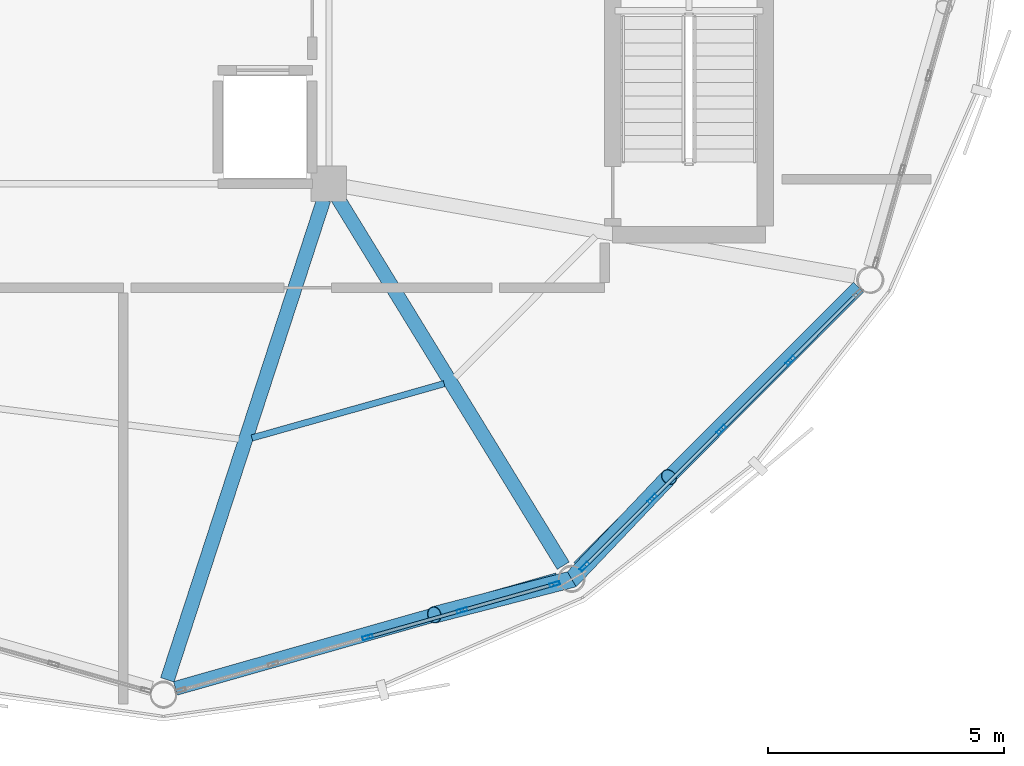
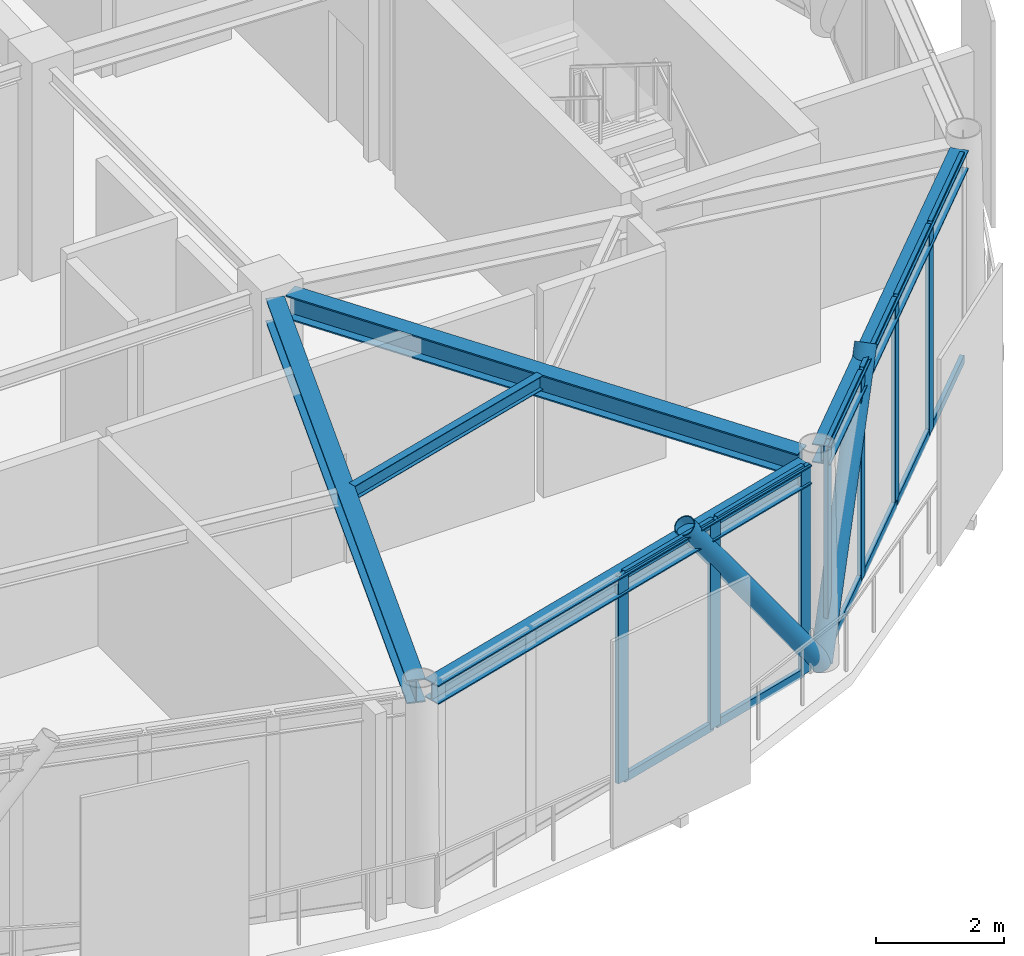
# One storey, part 5 of 20: 21 members, 5 beams, 2 elements without a shape of their own.
"""IFC4 building model written with IfcOpenShell, lengths in metres."""

from ifc_helpers import new_model, si_unit, direction, frame, origin, origin_2d, place, context, subcontext, project, spatial, hollow_rectangle, hollow_circle, i_section, extrude, material, layer, layer_set, material_profile, profile_set, type_object, element, aggregate, save


model = new_model("IFC4")

# Units and contexts
model_context = context("Model", 3, precision=1e-05, world=origin(), true_north=direction((0.0, 1.0)))
body_context = subcontext(model_context, "Body", "Model", "MODEL_VIEW")
ifc_project = project(units=[si_unit("LENGTHUNIT", "METRE"), si_unit("AREAUNIT", "SQUARE_METRE"), si_unit("VOLUMEUNIT", "CUBIC_METRE"), si_unit("PLANEANGLEUNIT", "RADIAN"), si_unit("MASSUNIT", "GRAM", prefix="KILO")], contexts=[model_context])

# Site, building, storey
site_placement = place(None, origin())
site = spatial("IfcSite", under=ifc_project, at=site_placement, CompositionType="ELEMENT")
building_placement = place(site_placement, origin())
building = spatial("IfcBuilding", under=site, at=building_placement, Name="Varnakorn Sky Granary", CompositionType="ELEMENT")
storey_placement = place(building_placement, frame((0.0, 0.0, 306.60009765625)))
storey = spatial("IfcBuildingStorey", under=building, at=storey_placement, Name="L78", CompositionType="ELEMENT", Elevation=306.60009765625)

# Beams
ifc_material_1 = material(Name="Steel S355JR", Category="steel")
ifc_material_profile_1 = material_profile(ifc_material_1, i_section(OverallWidth=0.300048828125, OverallDepth=0.449951171875, WebThickness=0.013916015625, FlangeThickness=0.02587890625, at=origin_2d()), Name="HE 450 B")
ifc_profile_set_1 = profile_set([ifc_material_profile_1], Name="Steel S355JR")
beam_type_1 = type_object("IfcBeamType", Name="BM-RAD-Z5", PredefinedType="BEAM", material=ifc_profile_set_1)
beam_1_placement = place(storey_placement, frame((8.239990234375, -6.9375, 3.73486328125), z_axis=(-0.309766783642, -0.95081256815, 0.0), x_axis=(0.95081256815, -0.309766783642, 0.0)))
element("IfcBeam", 1, at=beam_1_placement, inside=storey, type_object=beam_type_1, Name="Radial Floor Girder RG10 L78", PredefinedType="BEAM", context=body_context, shape_type="SweptSolid", body=[
    extrude(i_section(OverallWidth=0.300048828125, OverallDepth=0.449951171875, WebThickness=0.013916015625, FlangeThickness=0.02587890625, at=origin_2d()), origin(), (0.0, 0.0, 1.0), 10.679443359375),
])
beam_2_placement = place(storey_placement, frame((8.53564453125, -6.902587890625, 3.73486328125), z_axis=(0.522887164718, -0.852401908124, 0.0), x_axis=(0.852401908124, 0.522887164718, 0.0)))
element("IfcBeam", 2, at=beam_2_placement, inside=storey, type_object=beam_type_1, Name="Radial Floor Girder RG11 L78", PredefinedType="BEAM", context=body_context, shape_type="SweptSolid", body=[
    extrude(i_section(OverallWidth=0.300048828125, OverallDepth=0.449951171875, WebThickness=0.013916015625, FlangeThickness=0.02587890625, at=origin_2d()), origin(), (0.0, 0.0, 1.0), 9.12060546875),
])
ifc_material_profile_2 = material_profile(ifc_material_1, i_section(OverallWidth=0.135009765625, OverallDepth=0.27001953125, WebThickness=0.006591796875, FlangeThickness=0.01025390625, at=origin_2d()), Name="IPE 270")
ifc_profile_set_2 = profile_set([ifc_material_profile_2], Name="Steel S355JR")
beam_type_2 = type_object("IfcBeamType", Name="BM-SEC-Z5", PredefinedType="BEAM", material=ifc_profile_set_2)
beam_3_placement = place(storey_placement, frame((6.720703125, -11.976318359375, 3.824951171875), z_axis=(0.96232682993, 0.271895333533, 0.0), x_axis=(-0.271895333533, 0.96232682993, 0.0)))
element("IfcBeam", 3, at=beam_3_placement, inside=storey, type_object=beam_type_2, Name="Secondary Floor Chord Beam MSB10 L78", PredefinedType="BEAM", context=body_context, shape_type="SweptSolid", body=[
    extrude(i_section(OverallWidth=0.135009765625, OverallDepth=0.27001953125, WebThickness=0.006591796875, FlangeThickness=0.01025390625, at=origin_2d()), origin(), (0.0, 0.0, 1.0), 4.223876953125),
])
ifc_material_profile_3 = material_profile(ifc_material_1, i_section(OverallWidth=0.300048828125, OverallDepth=0.360107421875, WebThickness=0.012451171875, FlangeThickness=0.0224609375, at=origin_2d()), Name="HE 360 B")
ifc_profile_set_3 = profile_set([ifc_material_profile_3], Name="Steel S355JR")
beam_type_3 = type_object("IfcBeamType", Name="BM-SPD-Z5", PredefinedType="SPANDREL", material=ifc_profile_set_3)
beam_4_placement = place(storey_placement, frame((5.1044921875, -17.270751953125, 3.77978515625), z_axis=(0.961959045072, 0.273193696127, 0.0), x_axis=(-0.273193696127, 0.961959045072, 0.0)))
element("IfcBeam", 4, at=beam_4_placement, inside=storey, type_object=beam_type_3, Name="Perimeter Spandrel Ring Beam RB10 L78", PredefinedType="SPANDREL", context=body_context, shape_type="SweptSolid", body=[
    extrude(i_section(OverallWidth=0.300048828125, OverallDepth=0.360107421875, WebThickness=0.012451171875, FlangeThickness=0.0224609375, at=origin_2d()), origin(), (0.0, 0.0, 1.0), 8.40380859375),
])
beam_5_placement = place(storey_placement, frame((13.6298828125, -14.71533203125, 3.77978515625), z_axis=(0.706669260359, 0.707544031467, 0.0), x_axis=(-0.707544031467, 0.706669260359, 0.0)))
element("IfcBeam", 5, at=beam_5_placement, inside=storey, type_object=beam_type_3, Name="Perimeter Spandrel Ring Beam RB11 L78", PredefinedType="SPANDREL", context=body_context, shape_type="SweptSolid", body=[
    extrude(i_section(OverallWidth=0.300048828125, OverallDepth=0.360107421875, WebThickness=0.012451171875, FlangeThickness=0.0224609375, at=origin_2d()), origin(), (0.0, 0.0, 1.0), 8.372802734375),
])

# Curtain wall, members
ifc_material_2 = material(Name="Anodised Bronze Aluminium Alloy 6063-T6", Category="aluminium")
ifc_layer = layer(ifc_material_2, 0.22998046875, Name="Anodised Bronze Aluminium Alloy 6063-T6")
ifc_layer_set = layer_set([ifc_layer], Name="Anodised Bronze Aluminium Alloy 6063-T6")
curtain_wall_type = type_object("IfcCurtainWallType", Name="CW-LNT-1", PredefinedType="USERDEFINED", material=ifc_layer_set)
curtain_wall_1_placement = place(storey_placement, origin())
curtain_wall_1 = element("IfcCurtainWall", 6, at=curtain_wall_1_placement, inside=storey, type_object=curtain_wall_type, Name="Unitised Curtain Wall CW7 CW-L78-B10", ObjectType="CURTAIN WALL", PredefinedType="USERDEFINED")
ifc_material_profile_4 = material_profile(ifc_material_2, hollow_rectangle(XDim=0.074951171875, YDim=0.219970703125, WallThickness=0.00390625, at=origin_2d()), Name="ALU MULL 75x220")
ifc_profile_set_4 = profile_set([ifc_material_profile_4], Name="Anodised Bronze Aluminium Alloy 6063-T6")
member_type_1 = type_object("IfcMemberType", Name="CW-LNT-1-MULL", PredefinedType="MULLION", material=ifc_profile_set_4)
member_1_placement = place(storey_placement, frame((13.123291015625, -15.067138671875, 0.0), z_axis=(0.0, 0.0, 1.0), x_axis=(0.272904510897, -0.962041125905, 0.0)))
member_1 = element("IfcMember", 7, at=member_1_placement, type_object=member_type_1, Name="CW7 mullion 1", PredefinedType="MULLION", context=body_context, shape_type="SweptSolid", body=[
    extrude(hollow_rectangle(XDim=0.074951171875, YDim=0.219970703125, WallThickness=0.00390625, at=origin_2d()), origin(), (0.0, 0.0, 1.0), 3.9599609375),
])
member_2_placement = place(storey_placement, frame((11.163818359375, -15.623046875, 0.0), z_axis=(0.0, 0.0, 1.0), x_axis=(0.272904510897, -0.962041125905, 0.0)))
member_2 = element("IfcMember", 8, at=member_2_placement, type_object=member_type_1, Name="CW7 mullion 2", PredefinedType="MULLION", context=body_context, shape_type="SweptSolid", body=[
    extrude(hollow_rectangle(XDim=0.074951171875, YDim=0.219970703125, WallThickness=0.00390625, at=origin_2d()), origin(), (0.0, 0.0, 1.0), 3.9599609375),
])
member_3_placement = place(storey_placement, frame((9.16796875, -16.18896484375, 0.0), z_axis=(0.0, 0.0, 1.0), x_axis=(0.272904510897, -0.962041125905, 0.0)))
member_3 = element("IfcMember", 9, at=member_3_placement, type_object=member_type_1, Name="CW7 mullion 3", PredefinedType="MULLION", context=body_context, shape_type="SweptSolid", body=[
    extrude(hollow_rectangle(XDim=0.074951171875, YDim=0.219970703125, WallThickness=0.00390625, at=origin_2d()), origin(), (0.0, 0.0, 1.0), 3.9599609375),
])

curtain_wall_2_placement = place(storey_placement, origin())
curtain_wall_2 = element("IfcCurtainWall", 10, at=curtain_wall_2_placement, inside=storey, type_object=curtain_wall_type, Name="Unitised Curtain Wall CW7 CW-L78-B11", ObjectType="CURTAIN WALL", PredefinedType="USERDEFINED")
member_4_placement = place(storey_placement, frame((18.107421875, -10.3408203125, 0.0), z_axis=(0.0, 0.0, 1.0), x_axis=(0.707251982619, -0.706961549932, 0.0)))
member_4 = element("IfcMember", 11, at=member_4_placement, type_object=member_type_1, Name="CW7 mullion 2", PredefinedType="MULLION", context=body_context, shape_type="SweptSolid", body=[
    extrude(hollow_rectangle(XDim=0.074951171875, YDim=0.219970703125, WallThickness=0.00390625, at=origin_2d()), origin(), (0.0, 0.0, 1.0), 3.9599609375),
])
member_5_placement = place(storey_placement, frame((16.64697265625, -11.8017578125, 0.0), z_axis=(0.0, 0.0, 1.0), x_axis=(0.707251982619, -0.706961549932, 0.0)))
member_5 = element("IfcMember", 12, at=member_5_placement, type_object=member_type_1, Name="CW7 mullion 3", PredefinedType="MULLION", context=body_context, shape_type="SweptSolid", body=[
    extrude(hollow_rectangle(XDim=0.074951171875, YDim=0.219970703125, WallThickness=0.00390625, at=origin_2d()), origin(), (0.0, 0.0, 1.0), 3.9599609375),
])
member_6_placement = place(storey_placement, frame((15.1865234375, -13.262939453125, 0.0), z_axis=(0.0, 0.0, 1.0), x_axis=(0.707251982619, -0.706961549932, 0.0)))
member_6 = element("IfcMember", 13, at=member_6_placement, type_object=member_type_1, Name="CW7 mullion 4", PredefinedType="MULLION", context=body_context, shape_type="SweptSolid", body=[
    extrude(hollow_rectangle(XDim=0.074951171875, YDim=0.219970703125, WallThickness=0.00390625, at=origin_2d()), origin(), (0.0, 0.0, 1.0), 3.9599609375),
])
member_7_placement = place(storey_placement, frame((13.75244140625, -14.697509765625, 0.0), z_axis=(0.0, 0.0, 1.0), x_axis=(0.707251982619, -0.706961549932, 0.0)))
member_7 = element("IfcMember", 14, at=member_7_placement, type_object=member_type_1, Name="CW7 mullion 5", PredefinedType="MULLION", context=body_context, shape_type="SweptSolid", body=[
    extrude(hollow_rectangle(XDim=0.074951171875, YDim=0.219970703125, WallThickness=0.00390625, at=origin_2d()), origin(), (0.0, 0.0, 1.0), 3.9599609375),
])

# Member
ifc_material_profile_5 = material_profile(ifc_material_2, hollow_rectangle(XDim=0.074951171875, YDim=0.159912109375, WallThickness=0.00390625, at=origin_2d()), Name="ALU TRAN 75x160")
ifc_profile_set_5 = profile_set([ifc_material_profile_5], Name="Anodised Bronze Aluminium Alloy 6063-T6")
member_type_2 = type_object("IfcMemberType", Name="CW-LNT-1-TRAN", PredefinedType="USERDEFINED", material=ifc_profile_set_5)
member_8_placement = place(storey_placement, frame((13.087158203125, -15.0771484375, 0.037353515625), z_axis=(-0.962010779064, -0.273011466727, 0.0), x_axis=(0.273011466727, -0.962010779064, 0.0)))
member_8 = element("IfcMember", 15, at=member_8_placement, type_object=member_type_2, Name="CW7 transom 1.1", ObjectType="TRANSOM", PredefinedType="USERDEFINED", context=body_context, shape_type="SweptSolid", body=[
    extrude(hollow_rectangle(XDim=0.074951171875, YDim=0.159912109375, WallThickness=0.00390625, at=origin_2d()), origin(), (0.0, 0.0, 1.0), 1.9619140625),
])

member_9_placement = place(storey_placement, frame((13.087158203125, -15.0771484375, 3.92236328125), z_axis=(-0.962010779064, -0.273011466727, 0.0), x_axis=(0.273011466727, -0.962010779064, 0.0)))
member_9 = element("IfcMember", 16, at=member_9_placement, type_object=member_type_2, Name="CW7 transom 1.2", ObjectType="TRANSOM", PredefinedType="USERDEFINED", context=body_context, shape_type="SweptSolid", body=[
    extrude(hollow_rectangle(XDim=0.074951171875, YDim=0.159912109375, WallThickness=0.00390625, at=origin_2d()), origin(), (0.0, 0.0, 1.0), 1.9619140625),
])

member_10_placement = place(storey_placement, frame((11.127685546875, -15.633056640625, 0.037353515625), z_axis=(-0.962042882798, -0.272898317433, 0.0), x_axis=(0.272898317433, -0.962042882798, 0.0)))
member_10 = element("IfcMember", 17, at=member_10_placement, type_object=member_type_2, Name="CW7 transom 2.1", ObjectType="TRANSOM", PredefinedType="USERDEFINED", context=body_context, shape_type="SweptSolid", body=[
    extrude(hollow_rectangle(XDim=0.074951171875, YDim=0.159912109375, WallThickness=0.00390625, at=origin_2d()), origin(), (0.0, 0.0, 1.0), 1.99951171875),
])

member_11_placement = place(storey_placement, frame((11.127685546875, -15.633056640625, 3.92236328125), z_axis=(-0.962042882798, -0.272898317433, 0.0), x_axis=(0.272898317433, -0.962042882798, 0.0)))
member_11 = element("IfcMember", 18, at=member_11_placement, type_object=member_type_2, Name="CW7 transom 2.2", ObjectType="TRANSOM", PredefinedType="USERDEFINED", context=body_context, shape_type="SweptSolid", body=[
    extrude(hollow_rectangle(XDim=0.074951171875, YDim=0.159912109375, WallThickness=0.00390625, at=origin_2d()), origin(), (0.0, 0.0, 1.0), 1.99951171875),
])

aggregate(curtain_wall_1, [member_1, member_2, member_3, member_8, member_9, member_10, member_11])

member_12_placement = place(storey_placement, frame((19.514892578125, -8.9326171875, 0.037353515625), z_axis=(-0.706919277741, -0.707294234925, 0.0), x_axis=(0.707294234925, -0.706919277741, 0.0)))
member_12 = element("IfcMember", 19, at=member_12_placement, type_object=member_type_2, Name="CW7 transom 1.1", ObjectType="TRANSOM", PredefinedType="USERDEFINED", context=body_context, shape_type="SweptSolid", body=[
    extrude(hollow_rectangle(XDim=0.074951171875, YDim=0.159912109375, WallThickness=0.00390625, at=origin_2d()), origin(), (0.0, 0.0, 1.0), 1.953369140625),
])

member_13_placement = place(storey_placement, frame((19.514892578125, -8.9326171875, 3.92236328125), z_axis=(-0.706919277741, -0.707294234925, 0.0), x_axis=(0.707294234925, -0.706919277741, 0.0)))
member_13 = element("IfcMember", 20, at=member_13_placement, type_object=member_type_2, Name="CW7 transom 1.2", ObjectType="TRANSOM", PredefinedType="USERDEFINED", context=body_context, shape_type="SweptSolid", body=[
    extrude(hollow_rectangle(XDim=0.074951171875, YDim=0.159912109375, WallThickness=0.00390625, at=origin_2d()), origin(), (0.0, 0.0, 1.0), 1.953369140625),
])

member_14_placement = place(storey_placement, frame((18.0810546875, -10.3671875, 0.037353515625), z_axis=(-0.706922822444, -0.707290692083, 0.0), x_axis=(0.707290692083, -0.706922822444, 0.0)))
member_14 = element("IfcMember", 21, at=member_14_placement, type_object=member_type_2, Name="CW7 transom 2.1", ObjectType="TRANSOM", PredefinedType="USERDEFINED", context=body_context, shape_type="SweptSolid", body=[
    extrude(hollow_rectangle(XDim=0.074951171875, YDim=0.159912109375, WallThickness=0.00390625, at=origin_2d()), origin(), (0.0, 0.0, 1.0), 1.990966796875),
])

member_15_placement = place(storey_placement, frame((18.0810546875, -10.3671875, 3.92236328125), z_axis=(-0.706922822444, -0.707290692083, 0.0), x_axis=(0.707290692083, -0.706922822444, 0.0)))
member_15 = element("IfcMember", 22, at=member_15_placement, type_object=member_type_2, Name="CW7 transom 2.2", ObjectType="TRANSOM", PredefinedType="USERDEFINED", context=body_context, shape_type="SweptSolid", body=[
    extrude(hollow_rectangle(XDim=0.074951171875, YDim=0.159912109375, WallThickness=0.00390625, at=origin_2d()), origin(), (0.0, 0.0, 1.0), 1.990966796875),
])

member_16_placement = place(storey_placement, frame((16.62060546875, -11.828369140625, 0.037353515625), z_axis=(-0.70704546692, -0.707168090137, 0.0), x_axis=(0.707168090137, -0.70704546692, 0.0)))
member_16 = element("IfcMember", 23, at=member_16_placement, type_object=member_type_2, Name="CW7 transom 3.1", ObjectType="TRANSOM", PredefinedType="USERDEFINED", context=body_context, shape_type="SweptSolid", body=[
    extrude(hollow_rectangle(XDim=0.074951171875, YDim=0.159912109375, WallThickness=0.00390625, at=origin_2d()), origin(), (0.0, 0.0, 1.0), 1.990966796875),
])

member_17_placement = place(storey_placement, frame((16.62060546875, -11.828369140625, 3.92236328125), z_axis=(-0.70704546692, -0.707168090137, 0.0), x_axis=(0.707168090137, -0.70704546692, 0.0)))
member_17 = element("IfcMember", 24, at=member_17_placement, type_object=member_type_2, Name="CW7 transom 3.2", ObjectType="TRANSOM", PredefinedType="USERDEFINED", context=body_context, shape_type="SweptSolid", body=[
    extrude(hollow_rectangle(XDim=0.074951171875, YDim=0.159912109375, WallThickness=0.00390625, at=origin_2d()), origin(), (0.0, 0.0, 1.0), 1.990966796875),
])

member_18_placement = place(storey_placement, frame((15.159912109375, -13.289306640625, 0.037353515625), z_axis=(-0.706919277741, -0.707294234925, 0.0), x_axis=(0.707294234925, -0.706919277741, 0.0)))
member_18 = element("IfcMember", 25, at=member_18_placement, type_object=member_type_2, Name="CW7 transom 4.1", ObjectType="TRANSOM", PredefinedType="USERDEFINED", context=body_context, shape_type="SweptSolid", body=[
    extrude(hollow_rectangle(XDim=0.074951171875, YDim=0.159912109375, WallThickness=0.00390625, at=origin_2d()), origin(), (0.0, 0.0, 1.0), 1.953369140625),
])

member_19_placement = place(storey_placement, frame((15.159912109375, -13.289306640625, 3.92236328125), z_axis=(-0.706919277741, -0.707294234925, 0.0), x_axis=(0.707294234925, -0.706919277741, 0.0)))
member_19 = element("IfcMember", 26, at=member_19_placement, type_object=member_type_2, Name="CW7 transom 4.2", ObjectType="TRANSOM", PredefinedType="USERDEFINED", context=body_context, shape_type="SweptSolid", body=[
    extrude(hollow_rectangle(XDim=0.074951171875, YDim=0.159912109375, WallThickness=0.00390625, at=origin_2d()), origin(), (0.0, 0.0, 1.0), 1.953369140625),
])

aggregate(curtain_wall_2, [member_4, member_5, member_6, member_7, member_12, member_13, member_14, member_15, member_16, member_17, member_18, member_19])

# Members
ifc_material_3 = material(Name="Steel S460M", Category="steel")
ifc_material_profile_6 = material_profile(ifc_material_3, hollow_circle(Radius=0.177734375, WallThickness=0.01416015625, at=origin_2d()), Name="CHS 355.6x14")
ifc_profile_set_6 = profile_set([ifc_material_profile_6], Name="Steel S460M")
member_type_3 = type_object("IfcMemberType", Name="MB-DIAG-T5", PredefinedType="BRACE", material=ifc_profile_set_6)
member_20_placement = place(storey_placement, frame((13.486083984375, -14.964111328125, 0.0), z_axis=(-0.573011700807, -0.148196829162, 0.806036779908), x_axis=(0.250389390819, -0.968145212747, 0.0)))
element("IfcMember", 27, at=member_20_placement, inside=storey, type_object=member_type_3, Name="Perimeter CHS Diagrid Brace DG10 L78", PredefinedType="BRACE", context=body_context, shape_type="SweptSolid", body=[
    extrude(hollow_circle(Radius=0.177734375, WallThickness=0.01416015625, at=origin_2d()), origin(), (0.0, 0.0, 1.0), 5.073974609375),
])
member_21_placement = place(storey_placement, frame((13.486083984375, -14.964111328125, 0.0), z_axis=(0.405781039, 0.427005915029, 0.808088916468), x_axis=(-0.724893107433, 0.688861366892, 0.0)))
element("IfcMember", 28, at=member_21_placement, inside=storey, type_object=member_type_3, Name="Perimeter CHS Diagrid Brace DG11 L78", PredefinedType="BRACE", context=body_context, shape_type="SweptSolid", body=[
    extrude(hollow_circle(Radius=0.177734375, WallThickness=0.01416015625, at=origin_2d()), origin(), (0.0, 0.0, 1.0), 5.06103515625),
])

save(model, "model.ifc")
